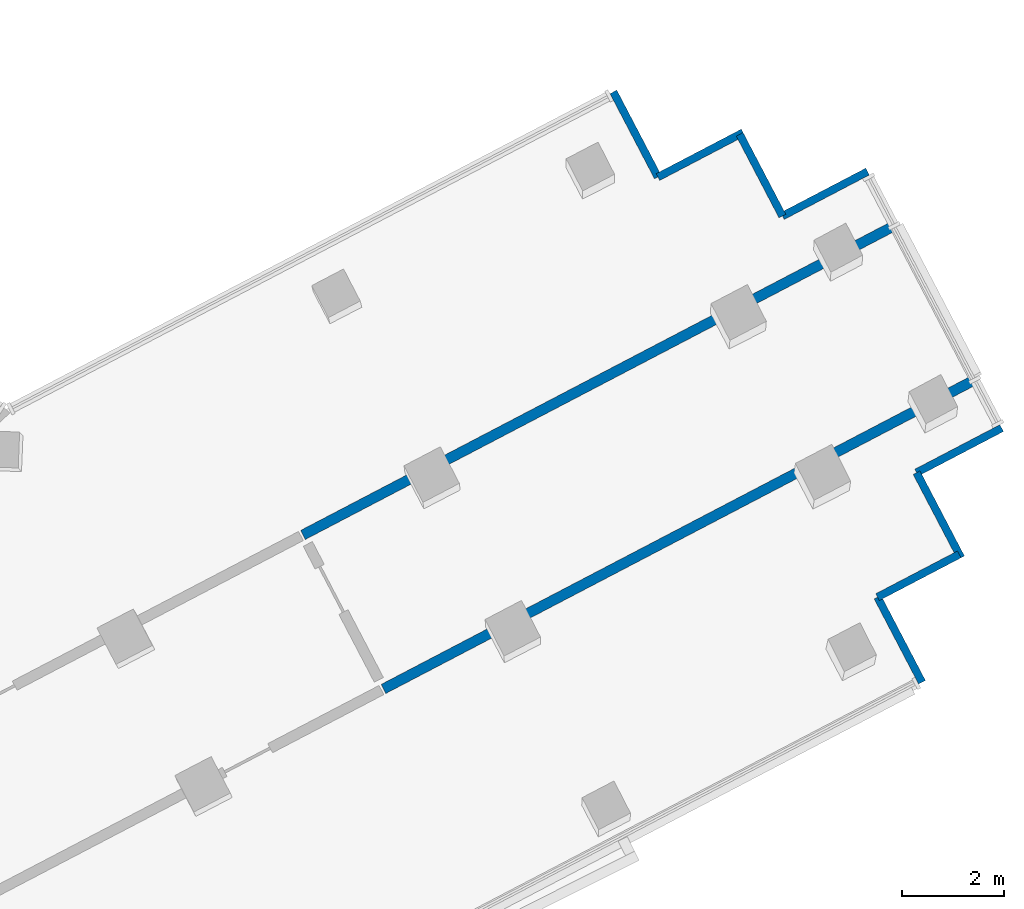
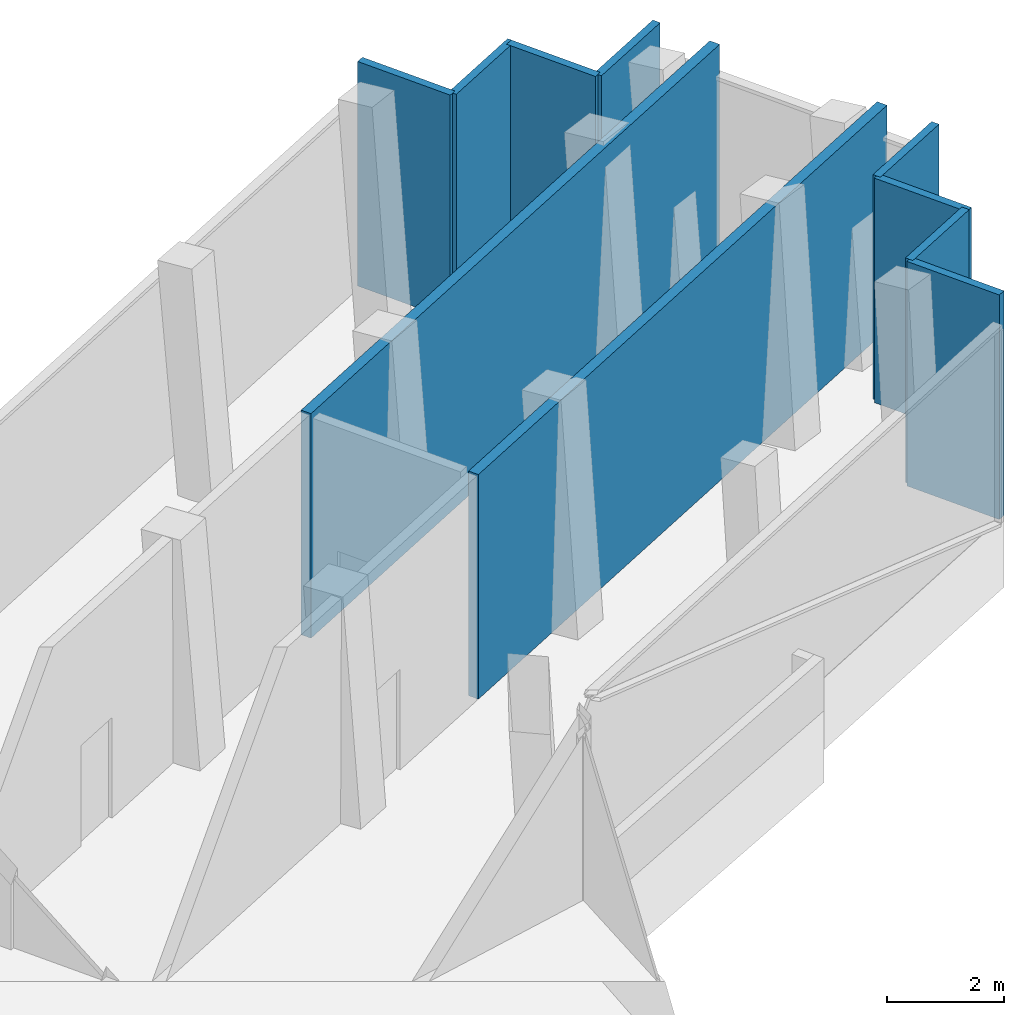
# One storey, part 15 of 21: 10 walls.
"""IFC4 building model written with IfcOpenShell, lengths in metres."""

from ifc_helpers import new_model, si_unit, direction, frame, frame_2d, origin, place, context, subcontext, project, spatial, rectangle, extrude, material, layer, layer_set, type_object, element, save


model = new_model("IFC4")

# Units and contexts
model_context = context("Model", 3, precision=1e-05, world=origin(), true_north=direction((0.0, 1.0)))
body_context = subcontext(model_context, "Body", "Model", "MODEL_VIEW")
ifc_project = project(units=[si_unit("LENGTHUNIT", "METRE"), si_unit("AREAUNIT", "SQUARE_METRE"), si_unit("VOLUMEUNIT", "CUBIC_METRE"), si_unit("PLANEANGLEUNIT", "RADIAN"), si_unit("MASSUNIT", "GRAM", prefix="KILO")], contexts=[model_context])

# Site, building, storey
site_placement = place(None, origin())
site = spatial("IfcSite", under=ifc_project, at=site_placement, CompositionType="ELEMENT")
building_placement = place(site_placement, origin())
building = spatial("IfcBuilding", under=site, at=building_placement, Name="Verdalira Terraces Hotel", CompositionType="ELEMENT")
storey_placement = place(building_placement, frame((0.0, 0.0, 269.0)))
storey = spatial("IfcBuildingStorey", under=building, at=storey_placement, Name="L66", CompositionType="ELEMENT", Elevation=269.0)

# Walls
ifc_material_1 = material(Name="Fire-rated gypsum board wall")
ifc_layer_1 = layer(ifc_material_1, 0.199951171875)
ifc_layer_set_1 = layer_set([ifc_layer_1], Name="Demising wall 200 mm")
wall_type_1 = type_object("IfcWallType", Name="Demising wall 200 mm", PredefinedType="SOLIDWALL", material=ifc_layer_set_1)
for number, where, z_axis, x_axis, name in (
    (1, (35.842773, 20.594482, 0.0), (0.0, 0.0, 1.0), (-0.886198558, -0.463305639, 0.0), "Demising wall"),
    (2, (25.849854, 11.543457, 0.0), (0.0, 0.0, 1.0), (0.886202574, 0.463297957, 0.0), "Demising wall"),
):
    element("IfcWall", number, at=place(storey_placement, frame(where, z_axis=z_axis, x_axis=x_axis)), inside=storey, type_object=wall_type_1, Name=name, PredefinedType="SOLIDWALL", context=body_context, shape_type="SweptSolid", body=[
        extrude(rectangle(XDim=13.049072, YDim=0.199951, at=frame_2d((6.524414, 0.0))), origin(), (0.0, 0.0, 1.0), 4.689941),
    ])
ifc_material_2 = material(Name="Terracotta cladding", Category="masonry")
ifc_layer_2 = layer(ifc_material_2, 0.14990234375)
ifc_layer_set_2 = layer_set([ifc_layer_2], Name="Terracotta clad wall 150")
wall_type_2 = type_object("IfcWallType", Name="Terracotta clad wall 150", PredefinedType="SOLIDWALL", material=ifc_layer_set_2)
wall_1_placement = place(storey_placement, frame((36.359619, 11.673584, 0.0), z_axis=(0.0, 0.0, 1.0), x_axis=(-0.463286748, 0.886208434, 0.0)))
element("IfcWall", 3, at=wall_1_placement, inside=storey, type_object=wall_type_2, Name="Terracotta cladding wall", PredefinedType="SOLIDWALL", context=body_context, shape_type="SweptSolid", body=[
    extrude(rectangle(XDim=1.875, YDim=0.149902, at=frame_2d((0.9375, 0.0))), origin(), (0.0, 0.0, 1.0), 4.689941),
])
wall_2_placement = place(storey_placement, frame((35.490967, 13.335205, 0.0), z_axis=(0.0, 0.0, 1.0), x_axis=(0.886197601, 0.46330747, 0.0)))
element("IfcWall", 4, at=wall_2_placement, inside=storey, type_object=wall_type_2, Name="Terracotta cladding wall", PredefinedType="SOLIDWALL", context=body_context, shape_type="SweptSolid", body=[
    extrude(rectangle(XDim=1.800049, YDim=0.149902, at=frame_2d((0.899902, 0.0))), origin(), (0.0, 0.0, 1.0), 4.689941),
])
for number, where, z_axis, x_axis, name in (
    (5, (37.12085, 14.102783, 0.0), (0.0, 0.0, 1.0), (-0.463286748, 0.886208434, 0.0), "Terracotta cladding wall"),
    (6, (36.252197, 15.764404, 0.0), (0.0, 0.0, 1.0), (0.886208434, 0.463286748, 0.0), "Terracotta cladding wall"),
    (7, (35.296143, 21.640137, 0.0), (0.0, 0.0, 1.0), (-0.886208434, -0.463286748, 0.0), "Terracotta cladding wall"),
):
    element("IfcWall", number, at=place(storey_placement, frame(where, z_axis=z_axis, x_axis=x_axis)), inside=storey, type_object=wall_type_2, Name=name, PredefinedType="SOLIDWALL", context=body_context, shape_type="SweptSolid", body=[
        extrude(rectangle(XDim=1.875, YDim=0.149902, at=frame_2d((0.9375, 0.0))), origin(), (0.0, 0.0, 1.0), 4.689941),
    ])
wall_3_placement = place(storey_placement, frame((33.634521, 20.771484, 0.0), z_axis=(0.0, 0.0, 1.0), x_axis=(-0.46330747, 0.886197601, 0.0)))
element("IfcWall", 8, at=wall_3_placement, inside=storey, type_object=wall_type_2, Name="Terracotta cladding wall", PredefinedType="SOLIDWALL", context=body_context, shape_type="SweptSolid", body=[
    extrude(rectangle(XDim=1.800049, YDim=0.149902, at=frame_2d((0.899902, 0.0))), origin(), (0.0, 0.0, 1.0), 4.689941),
])
wall_4_placement = place(storey_placement, frame((32.867188, 22.401367, 0.0), z_axis=(0.0, 0.0, 1.0), x_axis=(-0.886236377, -0.463233294, 0.0)))
element("IfcWall", 9, at=wall_4_placement, inside=storey, type_object=wall_type_2, Name="Terracotta cladding wall", PredefinedType="SOLIDWALL", context=body_context, shape_type="SweptSolid", body=[
    extrude(rectangle(XDim=1.875244, YDim=0.149902, at=frame_2d((0.9375, 0.0))), origin(), (0.0, 0.0, 1.0), 4.689941),
])
wall_5_placement = place(storey_placement, frame((31.205322, 21.532715, 0.0), z_axis=(0.0, 0.0, 1.0), x_axis=(-0.463286748, 0.886208434, 0.0)))
element("IfcWall", 10, at=wall_5_placement, inside=storey, type_object=wall_type_2, Name="Terracotta cladding wall", PredefinedType="SOLIDWALL", context=body_context, shape_type="SweptSolid", body=[
    extrude(rectangle(XDim=1.875, YDim=0.149902, at=frame_2d((0.9375, 0.0))), origin(), (0.0, 0.0, 1.0), 4.689941),
])

save(model, "model.ifc")
